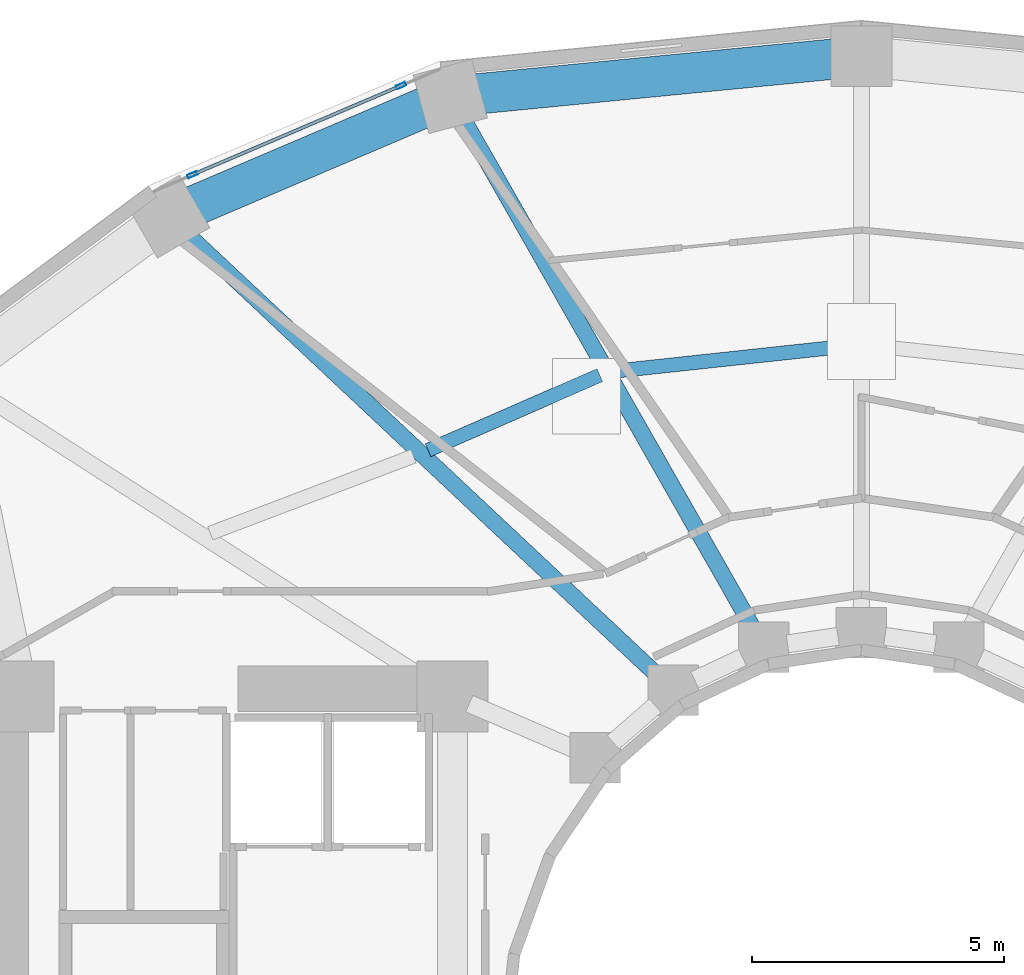
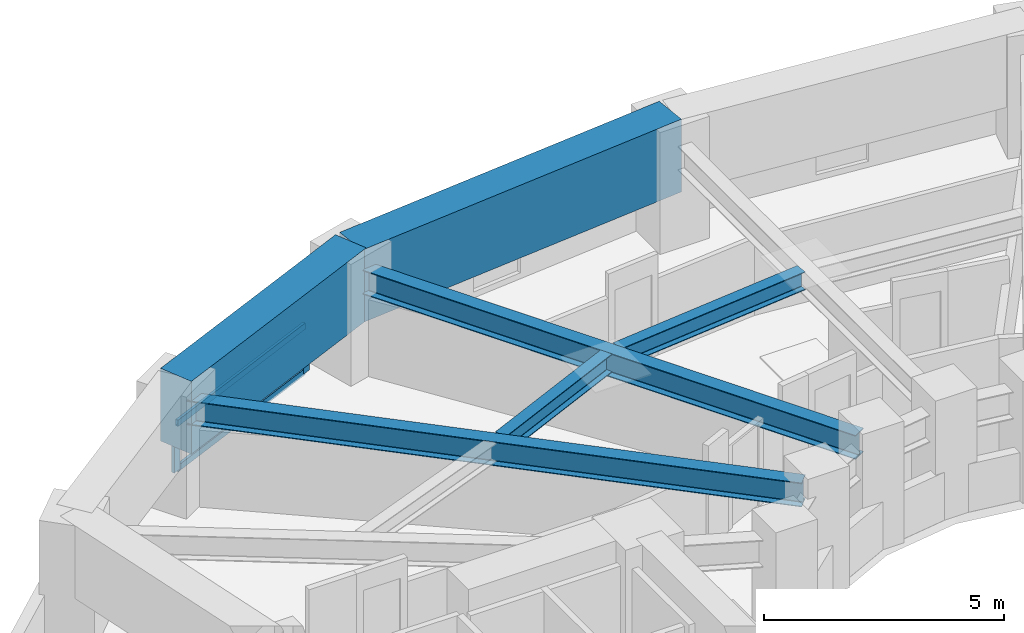
# One storey, part 6 of 16: 6 beams, 4 members, 1 element without a shape of its own.
"""IFC4 building model written with IfcOpenShell, lengths in metres."""

from ifc_helpers import new_model, si_unit, direction, frame, origin, origin_2d, place, context, subcontext, project, spatial, rectangle, hollow_rectangle, i_section, extrude, material, layer, layer_set, material_profile, profile_set, type_object, element, aggregate, save


model = new_model("IFC4")

# Units and contexts
model_context = context("Model", 3, precision=1e-05, world=origin(), true_north=direction((0.0, 1.0)))
body_context = subcontext(model_context, "Body", "Model", "MODEL_VIEW")
ifc_project = project(units=[si_unit("LENGTHUNIT", "METRE"), si_unit("AREAUNIT", "SQUARE_METRE"), si_unit("VOLUMEUNIT", "CUBIC_METRE"), si_unit("PLANEANGLEUNIT", "RADIAN"), si_unit("MASSUNIT", "GRAM", prefix="KILO")], contexts=[model_context])

# Site, building, storey
site_placement = place(None, origin())
site = spatial("IfcSite", under=ifc_project, at=site_placement, CompositionType="ELEMENT")
building_placement = place(site_placement, origin())
building = spatial("IfcBuilding", under=site, at=building_placement, Name="Solvane Sanctuary Tower", CompositionType="ELEMENT")
storey_placement = place(building_placement, frame((0.0, 0.0, 33.800048828125)))
storey = spatial("IfcBuildingStorey", under=building, at=storey_placement, Name="L09", CompositionType="ELEMENT", Elevation=33.800048828125)

# Beams
ifc_material_1 = material(Name="Steel ASTM A992 Grade 50", Category="steel")
ifc_material_profile_1 = material_profile(ifc_material_1, i_section(OverallWidth=0.323974609375, OverallDepth=0.611083984375, WebThickness=0.0126953125, FlangeThickness=0.01904296875, FilletRadius=0.01611328125, at=origin_2d()), Name="W24X104")
ifc_profile_set_1 = profile_set([ifc_material_profile_1], Name="Steel ASTM A992 Grade 50")
beam_type_1 = type_object("IfcBeamType", Name="Beam B-RAD-Z1 W24X104", PredefinedType="BEAM", material=ifc_profile_set_1)
beam_1_placement = place(storey_placement, frame((29.9306640625, 31.4150390625, 2.29248046875), z_axis=(-0.494862949167, 0.868971036078, 0.0), x_axis=(-0.868971036078, -0.494862949167, 0.0)))
element("IfcBeam", 1, at=beam_1_placement, inside=storey, type_object=beam_type_1, Name="L09 Radial Composite Floor Beam 05", PredefinedType="BEAM", context=body_context, shape_type="SweptSolid", body=[
    extrude(i_section(OverallWidth=0.323974609375, OverallDepth=0.611083984375, WebThickness=0.0126953125, FlangeThickness=0.01904296875, FilletRadius=0.01611328125, at=origin_2d()), origin(), (0.0, 0.0, 1.0), 11.997314453125),
])
beam_2_placement = place(storey_placement, frame((28.06591796875, 30.518310546875, 2.29248046875), z_axis=(-0.729363446859, 0.68412642281, 0.0), x_axis=(-0.68412642281, -0.729363446859, 0.0)))
element("IfcBeam", 2, at=beam_2_placement, inside=storey, type_object=beam_type_1, Name="L09 Radial Composite Floor Beam 06", PredefinedType="BEAM", context=body_context, shape_type="SweptSolid", body=[
    extrude(i_section(OverallWidth=0.323974609375, OverallDepth=0.611083984375, WebThickness=0.0126953125, FlangeThickness=0.01904296875, FilletRadius=0.01611328125, at=origin_2d()), origin(), (0.0, 0.0, 1.0), 13.14697265625),
])
ifc_material_profile_2 = material_profile(ifc_material_1, i_section(OverallWidth=0.280029296875, OverallDepth=0.462890625, WebThickness=0.0107421875, FlangeThickness=0.017333984375, FilletRadius=0.013916015625, at=origin_2d()), Name="W18X76")
ifc_profile_set_2 = profile_set([ifc_material_profile_2], Name="Steel ASTM A992 Grade 50")
beam_type_2 = type_object("IfcBeamType", Name="Beam B-SEC-JOIST W18X76", PredefinedType="JOIST", material=ifc_profile_set_2)
beam_3_placement = place(storey_placement, frame((23.415283203125, 35.078125, 2.366455078125), z_axis=(0.916382007922, 0.400304903238, 0.0), x_axis=(-0.400304903238, 0.916382007922, 0.0)))
element("IfcBeam", 3, at=beam_3_placement, inside=storey, type_object=beam_type_2, Name="L09 Secondary Circumferential Joist 06-05", PredefinedType="JOIST", context=body_context, shape_type="SweptSolid", body=[
    extrude(i_section(OverallWidth=0.280029296875, OverallDepth=0.462890625, WebThickness=0.0107421875, FlangeThickness=0.017333984375, FilletRadius=0.013916015625, at=origin_2d()), origin(), (0.0, 0.0, 1.0), 3.713623046875),
])
beam_4_placement = place(storey_placement, frame((27.118408203125, 36.64453125, 2.366455078125), z_axis=(0.994253832067, 0.107048201386, 0.0), x_axis=(-0.107048201386, 0.994253832067, 0.0)))
element("IfcBeam", 4, at=beam_4_placement, inside=storey, type_object=beam_type_2, Name="L09 Secondary Circumferential Joist 05-04", PredefinedType="JOIST", context=body_context, shape_type="SweptSolid", body=[
    extrude(i_section(OverallWidth=0.280029296875, OverallDepth=0.462890625, WebThickness=0.0107421875, FlangeThickness=0.017333984375, FilletRadius=0.013916015625, at=origin_2d()), origin(), (0.0, 0.0, 1.0), 4.7529296875),
])
ifc_material_2 = material(Name="Concrete C70/85", Category="concrete")
ifc_material_profile_3 = material_profile(ifc_material_2, rectangle(XDim=0.800048828125, YDim=1.85009765625, at=origin_2d()), Name="RC800X1850")
ifc_profile_set_3 = profile_set([ifc_material_profile_3], Name="Concrete C70/85")
beam_type_3 = type_object("IfcBeamType", Name="Beam B-XFER-BLK RC800X1850", PredefinedType="BEAM", material=ifc_profile_set_3)
beam_5_placement = place(storey_placement, frame((18.272705078125, 39.7041015625, 2.175048828125), z_axis=(0.919904945582, 0.392141417213, 0.0), x_axis=(-0.392141417213, 0.919904945582, 0.0)))
element("IfcBeam", 5, at=beam_5_placement, inside=storey, type_object=beam_type_3, Name="L09 Perimeter Step Transfer Ring NTC06-NTC05", PredefinedType="BEAM", context=body_context, shape_type="SweptSolid", body=[
    extrude(rectangle(XDim=0.800048828125, YDim=1.85009765625, at=origin_2d()), origin(), (0.0, 0.0, 1.0), 6.068359375),
])
beam_6_placement = place(storey_placement, frame((23.85498046875, 42.083740234375, 2.175048828125), z_axis=(0.995256826983, 0.097282312595, 0.0), x_axis=(-0.097282312595, 0.995256826983, 0.0)))
element("IfcBeam", 6, at=beam_6_placement, inside=storey, type_object=beam_type_3, Name="L09 Perimeter Step Transfer Ring NTC05-NTC04", PredefinedType="BEAM", context=body_context, shape_type="SweptSolid", body=[
    extrude(rectangle(XDim=0.800048828125, YDim=1.85009765625, at=origin_2d()), origin(), (0.0, 0.0, 1.0), 8.183837890625),
])

# Curtain wall, members
ifc_material_3 = material(Name="Anodised Aluminium 6063-T6", Category="aluminium")
ifc_layer = layer(ifc_material_3, 0.169921875, Name="Anodised Aluminium 6063-T6")
ifc_layer_set = layer_set([ifc_layer], Name="Anodised Aluminium 6063-T6")
curtain_wall_type = type_object("IfcCurtainWallType", Name="Curtain Wall CW-FRIT-Z1", PredefinedType="NOTDEFINED", material=ifc_layer_set)
curtain_wall_placement = place(storey_placement, origin())
curtain_wall = element("IfcCurtainWall", 7, at=curtain_wall_placement, inside=storey, type_object=curtain_wall_type, Name="L09 CW-FRIT-Z1 Facade Run 07", PredefinedType="NOTDEFINED")
ifc_material_profile_4 = material_profile(ifc_material_3, hollow_rectangle(XDim=0.074951171875, YDim=0.199951171875, WallThickness=0.00390625, at=origin_2d()), Name="ALU200X75X4")
ifc_profile_set_4 = profile_set([ifc_material_profile_4], Name="Anodised Aluminium 6063-T6")
member_type_1 = type_object("IfcMemberType", Name="Member M-CW-MUL-1 ALU200X75X4", PredefinedType="MULLION", material=ifc_profile_set_4)
member_1_placement = place(storey_placement, frame((22.879638671875, 42.29931640625, 0.0), z_axis=(0.0, 0.0, 1.0), x_axis=(0.392820282466, -0.919615259597, 0.0)))
member_1 = element("IfcMember", 8, at=member_1_placement, type_object=member_type_1, Name="CW-FRIT-Z1 mullion 1", PredefinedType="MULLION", context=body_context, shape_type="SweptSolid", body=[
    extrude(hollow_rectangle(XDim=0.074951171875, YDim=0.199951171875, WallThickness=0.00390625, at=origin_2d()), origin(), (0.0, 0.0, 1.0), 1.219970703125),
])
member_2_placement = place(storey_placement, frame((18.74658203125, 40.533935546875, 0.0), z_axis=(0.0, 0.0, 1.0), x_axis=(0.392820282466, -0.919615259597, 0.0)))
member_2 = element("IfcMember", 9, at=member_2_placement, type_object=member_type_1, Name="CW-FRIT-Z1 mullion 2", PredefinedType="MULLION", context=body_context, shape_type="SweptSolid", body=[
    extrude(hollow_rectangle(XDim=0.074951171875, YDim=0.199951171875, WallThickness=0.00390625, at=origin_2d()), origin(), (0.0, 0.0, 1.0), 1.219970703125),
])
ifc_material_profile_5 = material_profile(ifc_material_3, hollow_rectangle(XDim=0.06494140625, YDim=0.159912109375, WallThickness=0.00341796875, at=origin_2d()), Name="ALU160X65X3.5")
ifc_profile_set_5 = profile_set([ifc_material_profile_5], Name="Anodised Aluminium 6063-T6")
member_type_2 = type_object("IfcMemberType", Name="Member M-CW-TRN-1 ALU160X65X3.5", PredefinedType="USERDEFINED", material=ifc_profile_set_5)
member_3_placement = place(storey_placement, frame((22.84521484375, 42.28466796875, 0.032470703125), z_axis=(-0.919612983912, -0.392825609935, 0.0), x_axis=(0.392825609935, -0.919612983912, 0.0)))
member_3 = element("IfcMember", 10, at=member_3_placement, type_object=member_type_2, Name="CW-FRIT-Z1 transom 1.1", ObjectType="TRANSOM", PredefinedType="USERDEFINED", context=body_context, shape_type="SweptSolid", body=[
    extrude(hollow_rectangle(XDim=0.06494140625, YDim=0.159912109375, WallThickness=0.00341796875, at=origin_2d()), origin(), (0.0, 0.0, 1.0), 4.41943359375),
])
member_4_placement = place(storey_placement, frame((22.84521484375, 42.28466796875, 1.1875), z_axis=(-0.919612983912, -0.392825609935, 0.0), x_axis=(0.392825609935, -0.919612983912, 0.0)))
member_4 = element("IfcMember", 11, at=member_4_placement, type_object=member_type_2, Name="CW-FRIT-Z1 transom 1.2", ObjectType="TRANSOM", PredefinedType="USERDEFINED", context=body_context, shape_type="SweptSolid", body=[
    extrude(hollow_rectangle(XDim=0.06494140625, YDim=0.159912109375, WallThickness=0.00341796875, at=origin_2d()), origin(), (0.0, 0.0, 1.0), 4.41943359375),
])
aggregate(curtain_wall, [member_1, member_2, member_3, member_4])

save(model, "model.ifc")
